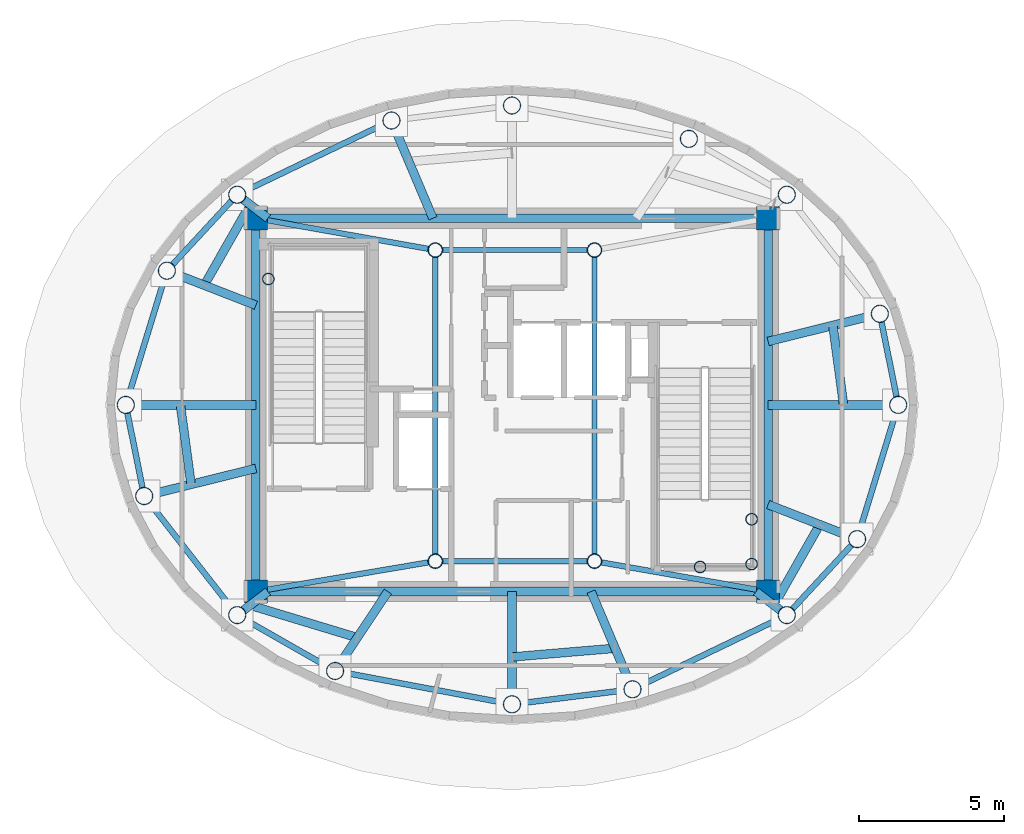
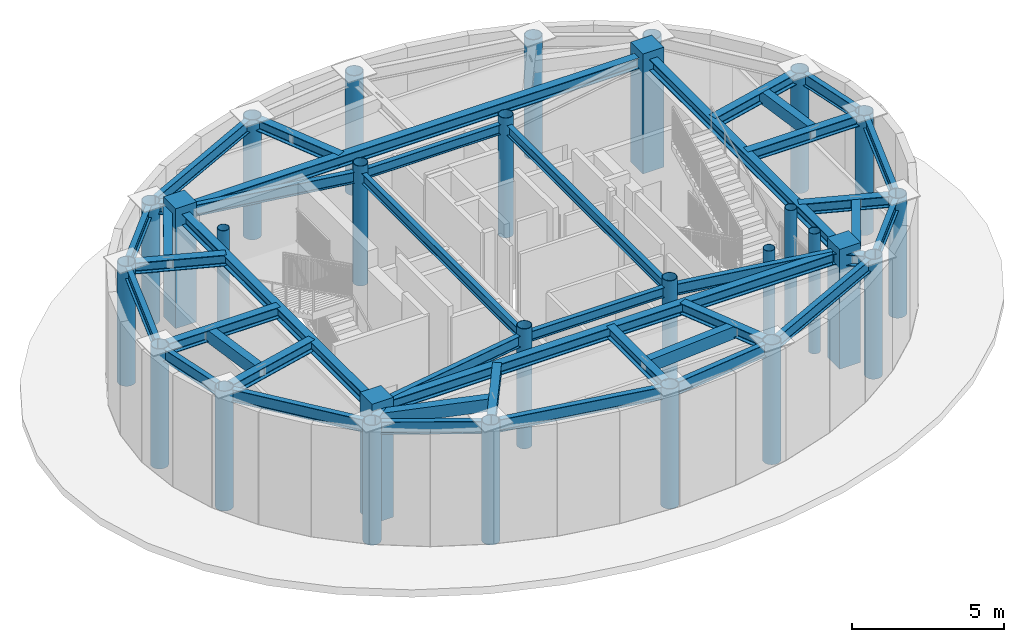
# One storey, part 1 of 12: 42 beams, 28 columns.
"""IFC4 building model written with IfcOpenShell, lengths in metres."""

from ifc_helpers import new_model, si_unit, direction, frame, origin, origin_2d, place, context, subcontext, project, spatial, rectangle, hollow_rectangle, hollow_circle, i_section, extrude, material, material_profile, profile_set, type_object, element, save


model = new_model("IFC4")

# Units and contexts
model_context = context("Model", 3, precision=1e-05, world=origin(), true_north=direction((0.0, 1.0)))
body_context = subcontext(model_context, "Body", "Model", "MODEL_VIEW")
ifc_project = project(units=[si_unit("LENGTHUNIT", "METRE"), si_unit("AREAUNIT", "SQUARE_METRE"), si_unit("VOLUMEUNIT", "CUBIC_METRE"), si_unit("PLANEANGLEUNIT", "RADIAN"), si_unit("MASSUNIT", "GRAM", prefix="KILO")], contexts=[model_context])

# Site, building, storey
site_placement = place(None, origin())
site = spatial("IfcSite", under=ifc_project, at=site_placement, CompositionType="ELEMENT")
building_placement = place(site_placement, origin())
building = spatial("IfcBuilding", under=site, at=building_placement, Name="Linh Dai School and Residence Tower", CompositionType="ELEMENT")
storey_placement = place(building_placement, frame((0.0, 0.0, 368.39990234375)))
storey = spatial("IfcBuildingStorey", under=building, at=storey_placement, Name="L91", CompositionType="ELEMENT", Elevation=368.39990234375)

# Columns
ifc_material_1 = material(Name="Concrete B45 (C35/45)", Category="concrete")
ifc_material_profile_1 = material_profile(ifc_material_1, rectangle(XDim=0.800048828125, YDim=0.800048828125, at=origin_2d()), Name="RC 800x800")
ifc_profile_set_1 = profile_set([ifc_material_profile_1], Name="Concrete B45 (C35/45)")
column_type_1 = type_object("IfcColumnType", Name="COL-CC5", PredefinedType="COLUMN", material=ifc_profile_set_1)
for number, where, z_axis, x_axis, name in (
    (1, (27.14990234375, 20.550048828125, 0.0), (0.0, 0.0, 1.0), (1.0, 0.0, 0.0), "L91 Core Corner Pier CC1"),
    (2, (44.85009765625, 20.550048828125, 0.0), (0.0, 0.0, 1.0), (1.0, 0.0, 0.0), "L91 Core Corner Pier CC2"),
    (3, (44.85009765625, 33.449951171875, 0.0), (0.0, 0.0, 1.0), (1.0, 0.0, 0.0), "L91 Core Corner Pier CC3"),
    (4, (27.14990234375, 33.449951171875, 0.0), (0.0, 0.0, 1.0), (1.0, 0.0, 0.0), "L91 Core Corner Pier CC4"),
):
    element("IfcColumn", number, at=place(storey_placement, frame(where, z_axis=z_axis, x_axis=x_axis)), inside=storey, type_object=column_type_1, Name=name, PredefinedType="COLUMN", context=body_context, shape_type="SweptSolid", body=[
        extrude(rectangle(XDim=0.800048828125, YDim=0.800048828125, at=origin_2d()), origin(), (0.0, 0.0, 1.0), 4.800048828125),
    ])
ifc_material_2 = material(Name="Structural Steel S355JR", Category="steel")
ifc_material_profile_2 = material_profile(ifc_material_2, hollow_circle(Radius=0.203125, WallThickness=0.01611328125, at=origin_2d()), Name="CHS 406.4x16")
ifc_profile_set_2 = profile_set([ifc_material_profile_2], Name="Structural Steel S355JR")
column_type_2 = type_object("IfcColumnType", Name="COL-EC", PredefinedType="COLUMN", material=ifc_profile_set_2)
for number, where, z_axis, x_axis, name in (
    (5, (27.580078125, 31.35009765625, 0.0), (0.0, 0.0, 1.0), (1.0, 0.0, 0.0), "L91 Stair Shaft Landing Support Pier ST1NW"),
    (6, (44.280029296875, 21.5, 0.0), (0.0, 0.0, 1.0), (1.0, 0.0, 0.0), "L91 Stair Shaft Landing Support Pier ST2SE"),
    (7, (44.280029296875, 23.050048828125, 0.0), (0.0, 0.0, 1.0), (1.0, 0.0, 0.0), "L91 Stair Shaft Landing Support Pier ST2NE"),
    (8, (42.5, 21.39990234375, 0.0), (0.0, 0.0, 1.0), (1.0, 0.0, 0.0), "L91 Stair Shaft Landing Support Pier ST2MS"),
):
    element("IfcColumn", number, at=place(storey_placement, frame(where, z_axis=z_axis, x_axis=x_axis)), inside=storey, type_object=column_type_2, Name=name, PredefinedType="COLUMN", context=body_context, shape_type="SweptSolid", body=[
        extrude(hollow_circle(Radius=0.203125, WallThickness=0.01611328125, at=origin_2d()), origin(), (0.0, 0.0, 1.0), 4.800048828125),
    ])
ifc_material_profile_3 = material_profile(ifc_material_2, hollow_circle(Radius=0.25390625, WallThickness=0.02001953125, at=origin_2d()), Name="CHS 508x20")
ifc_profile_set_3 = profile_set([ifc_material_profile_3], Name="Structural Steel S355JR")
column_type_3 = type_object("IfcColumnType", Name="COL-MCP", PredefinedType="COLUMN", material=ifc_profile_set_3)
for number, where, z_axis, x_axis, name in (
    (9, (33.35009765625, 21.60009765625, 0.0), (0.0, 0.0, 1.0), (1.0, 0.0, 0.0), "L91 Core Mast Support Pier MCP1"),
    (10, (38.85009765625, 21.60009765625, 0.0), (0.0, 0.0, 1.0), (1.0, 0.0, 0.0), "L91 Core Mast Support Pier MCP2"),
    (11, (38.85009765625, 32.35009765625, 0.0), (0.0, 0.0, 1.0), (1.0, 0.0, 0.0), "L91 Core Mast Support Pier MCP3"),
    (12, (33.35009765625, 32.35009765625, 0.0), (0.0, 0.0, 1.0), (1.0, 0.0, 0.0), "L91 Core Mast Support Pier MCP4"),
):
    element("IfcColumn", number, at=place(storey_placement, frame(where, z_axis=z_axis, x_axis=x_axis)), inside=storey, type_object=column_type_3, Name=name, PredefinedType="COLUMN", context=body_context, shape_type="SweptSolid", body=[
        extrude(hollow_circle(Radius=0.25390625, WallThickness=0.02001953125, at=origin_2d()), origin(), (0.0, 0.0, 1.0), 4.800048828125),
    ])
ifc_material_profile_4 = material_profile(ifc_material_2, hollow_circle(Radius=0.304931640625, WallThickness=0.02490234375, at=origin_2d()), Name="CHS 610x25")
ifc_profile_set_4 = profile_set([ifc_material_profile_4], Name="Structural Steel S355JR")
column_type_4 = type_object("IfcColumnType", Name="COL-SLC", PredefinedType="COLUMN", material=ifc_profile_set_4)
for number, where, z_axis, x_axis, name in (
    (13, (49.344970703125, 27.0, -0.2998046875), (0.0, 0.0, 1.0), (1.0, 0.0, 0.0), "L91 Perimeter CFT Mega-Column MC01"),
    (14, (48.70947265625, 30.14892578125, -0.2998046875), (0.0, 0.0, 1.0), (1.0, 0.0, 0.0), "L91 Perimeter CFT Mega-Column MC02"),
    (15, (45.494873046875, 34.26318359375, -0.2998046875), (0.0, 0.0, 1.0), (1.0, 0.0, 0.0), "L91 Perimeter CFT Mega-Column MC03"),
    (16, (42.112548828125, 36.19287109375, -0.2998046875), (0.0, 0.0, 1.0), (1.0, 0.0, 0.0), "L91 Perimeter CFT Mega-Column MC04"),
    (17, (36.0, 37.344970703125, -0.2998046875), (0.0, 0.0, 1.0), (1.0, 0.0, 0.0), "L91 Perimeter CFT Mega-Column MC05"),
    (18, (31.835693359375, 36.826904296875, -0.2998046875), (0.0, 0.0, 1.0), (1.0, 0.0, 0.0), "L91 Perimeter CFT Mega-Column MC06"),
    (19, (26.505126953125, 34.26318359375, -0.2998046875), (0.0, 0.0, 1.0), (1.0, 0.0, 0.0), "L91 Perimeter CFT Mega-Column MC07"),
    (20, (24.075439453125, 31.637451171875, -0.2998046875), (0.0, 0.0, 1.0), (1.0, 0.0, 0.0), "L91 Perimeter CFT Mega-Column MC08"),
    (21, (22.655029296875, 27.0, -0.2998046875), (0.0, 0.0, 1.0), (1.0, 0.0, 0.0), "L91 Perimeter CFT Mega-Column MC09"),
    (22, (23.29052734375, 23.85107421875, -0.2998046875), (0.0, 0.0, 1.0), (1.0, 0.0, 0.0), "L91 Perimeter CFT Mega-Column MC10"),
    (23, (26.505126953125, 19.73681640625, -0.2998046875), (0.0, 0.0, 1.0), (1.0, 0.0, 0.0), "L91 Perimeter CFT Mega-Column MC11"),
    (24, (29.887451171875, 17.80712890625, -0.2998046875), (0.0, 0.0, 1.0), (1.0, 0.0, 0.0), "L91 Perimeter CFT Mega-Column MC12"),
    (25, (36.0, 16.655029296875, -0.2998046875), (0.0, 0.0, 1.0), (1.0, 0.0, 0.0), "L91 Perimeter CFT Mega-Column MC13"),
    (26, (40.164306640625, 17.173095703125, -0.2998046875), (0.0, 0.0, 1.0), (1.0, 0.0, 0.0), "L91 Perimeter CFT Mega-Column MC14"),
    (27, (45.494873046875, 19.73681640625, -0.2998046875), (0.0, 0.0, 1.0), (1.0, 0.0, 0.0), "L91 Perimeter CFT Mega-Column MC15"),
    (28, (47.924560546875, 22.362548828125, -0.2998046875), (0.0, 0.0, 1.0), (1.0, 0.0, 0.0), "L91 Perimeter CFT Mega-Column MC16"),
):
    element("IfcColumn", number, at=place(storey_placement, frame(where, z_axis=z_axis, x_axis=x_axis)), inside=storey, type_object=column_type_4, Name=name, PredefinedType="COLUMN", context=body_context, shape_type="SweptSolid", body=[
        extrude(hollow_circle(Radius=0.304931640625, WallThickness=0.02490234375, at=origin_2d()), origin(), (0.0, 0.0, 1.0), 4.7998046875),
    ])

# Beams
ifc_material_profile_5 = material_profile(ifc_material_2, hollow_rectangle(XDim=0.300048828125, YDim=0.5, WallThickness=0.01611328125, at=origin_2d()), Name="RHS 500x300x16")
ifc_profile_set_5 = profile_set([ifc_material_profile_5], Name="Structural Steel S355JR")
beam_type_1 = type_object("IfcBeamType", Name="BM-BX5", PredefinedType="BEAM", material=ifc_profile_set_5)
beam_1_placement = place(storey_placement, frame((47.45654296875, 27.0048828125, 4.25), z_axis=(-0.133026337025, 0.991112503028, 0.0), x_axis=(-0.991112503028, -0.133026337025, 0.0)))
element("IfcBeam", 29, at=beam_1_placement, inside=storey, type_object=beam_type_1, Name="L91 Secondary Circumferential Floor Beam 01", PredefinedType="BEAM", context=body_context, shape_type="SweptSolid", body=[
    extrude(hollow_rectangle(XDim=0.300048828125, YDim=0.5, WallThickness=0.01611328125, at=origin_2d()), origin(), (0.0, 0.0, 1.0), 2.76220703125),
])
beam_2_placement = place(storey_placement, frame((26.94921875, 33.917236328125, 4.25), z_axis=(-0.49445956626, -0.869200631232, 0.0), x_axis=(0.869200631232, -0.49445956626, 0.0)))
element("IfcBeam", 30, at=beam_2_placement, inside=storey, type_object=beam_type_1, Name="L91 Secondary Circumferential Floor Beam 04", PredefinedType="BEAM", context=body_context, shape_type="SweptSolid", body=[
    extrude(hollow_rectangle(XDim=0.300048828125, YDim=0.5, WallThickness=0.01611328125, at=origin_2d()), origin(), (0.0, 0.0, 1.0), 3.195556640625),
])
beam_3_placement = place(storey_placement, frame((24.54345703125, 26.9951171875, 4.25), z_axis=(0.133026337025, -0.991112503028, 0.0), x_axis=(0.991112503028, 0.133026337025, 0.0)))
element("IfcBeam", 31, at=beam_3_placement, inside=storey, type_object=beam_type_1, Name="L91 Secondary Circumferential Floor Beam 05", PredefinedType="BEAM", context=body_context, shape_type="SweptSolid", body=[
    extrude(hollow_rectangle(XDim=0.300048828125, YDim=0.5, WallThickness=0.01611328125, at=origin_2d()), origin(), (0.0, 0.0, 1.0), 2.76220703125),
])
beam_4_placement = place(storey_placement, frame((26.956298828125, 20.076904296875, 4.25), z_axis=(0.957200418258, -0.289425913296, 0.0), x_axis=(0.289425913296, 0.957200418258, 0.0)))
element("IfcBeam", 32, at=beam_4_placement, inside=storey, type_object=beam_type_1, Name="L91 Secondary Circumferential Floor Beam 06", PredefinedType="BEAM", context=body_context, shape_type="SweptSolid", body=[
    extrude(hollow_rectangle(XDim=0.300048828125, YDim=0.5, WallThickness=0.01611328125, at=origin_2d()), origin(), (0.0, 0.0, 1.0), 3.857421875),
])
beam_5_placement = place(storey_placement, frame((36.0048828125, 18.291259765625, 4.25), z_axis=(0.996465021348, 0.084008697347, 0.0), x_axis=(-0.084008697347, 0.996465021348, 0.0)))
element("IfcBeam", 33, at=beam_5_placement, inside=storey, type_object=beam_type_1, Name="L91 Secondary Circumferential Floor Beam 07", PredefinedType="BEAM", context=body_context, shape_type="SweptSolid", body=[
    extrude(hollow_rectangle(XDim=0.300048828125, YDim=0.5, WallThickness=0.01611328125, at=origin_2d()), origin(), (0.0, 0.0, 1.0), 3.56591796875),
])
beam_6_placement = place(storey_placement, frame((45.05078125, 20.082763671875, 4.25), z_axis=(0.49445956626, 0.869200631232, 0.0), x_axis=(-0.869200631232, 0.49445956626, 0.0)))
element("IfcBeam", 34, at=beam_6_placement, inside=storey, type_object=beam_type_1, Name="L91 Secondary Circumferential Floor Beam 08", PredefinedType="BEAM", context=body_context, shape_type="SweptSolid", body=[
    extrude(hollow_rectangle(XDim=0.300048828125, YDim=0.5, WallThickness=0.01611328125, at=origin_2d()), origin(), (0.0, 0.0, 1.0), 3.195556640625),
])
ifc_material_profile_6 = material_profile(ifc_material_2, i_section(OverallWidth=0.199951171875, OverallDepth=0.5, WebThickness=0.01025390625, FlangeThickness=0.01611328125, FilletRadius=0.02099609375, at=origin_2d()), Name="IPE 500")
ifc_profile_set_6 = profile_set([ifc_material_profile_6], Name="Structural Steel S355JR")
beam_type_2 = type_object("IfcBeamType", Name="BM-RB50", PredefinedType="BEAM", material=ifc_profile_set_6)
beam_7_placement = place(storey_placement, frame((49.29052734375, 27.26953125, 4.25), z_axis=(-0.197791088174, 0.98024419684, 0.0), x_axis=(-0.98024419684, -0.197791088174, 0.0)))
element("IfcBeam", 35, at=beam_7_placement, inside=storey, type_object=beam_type_2, Name="L91 Perimeter Elliptical Ring Beam 01", PredefinedType="BEAM", context=body_context, shape_type="SweptSolid", body=[
    extrude(i_section(OverallWidth=0.199951171875, OverallDepth=0.5, WebThickness=0.01025390625, FlangeThickness=0.01611328125, FilletRadius=0.02099609375, at=origin_2d()), origin(), (0.0, 0.0, 1.0), 2.662353515625),
])
beam_8_placement = place(storey_placement, frame((31.587890625, 36.707763671875, 4.25), z_axis=(-0.901184066732, -0.433436590367, 0.0), x_axis=(0.433436590367, -0.901184066732, 0.0)))
element("IfcBeam", 36, at=beam_8_placement, inside=storey, type_object=beam_type_2, Name="L91 Perimeter Elliptical Ring Beam 06", PredefinedType="BEAM", context=body_context, shape_type="SweptSolid", body=[
    extrude(i_section(OverallWidth=0.199951171875, OverallDepth=0.5, WebThickness=0.01025390625, FlangeThickness=0.01611328125, FilletRadius=0.02099609375, at=origin_2d()), origin(), (0.0, 0.0, 1.0), 5.365234375),
])
beam_9_placement = place(storey_placement, frame((26.318359375, 34.061279296875, 4.25), z_axis=(-0.679197336195, -0.733955706092, 0.0), x_axis=(0.733955706092, -0.679197336195, 0.0)))
element("IfcBeam", 37, at=beam_9_placement, inside=storey, type_object=beam_type_2, Name="L91 Perimeter Elliptical Ring Beam 07", PredefinedType="BEAM", context=body_context, shape_type="SweptSolid", body=[
    extrude(i_section(OverallWidth=0.199951171875, OverallDepth=0.5, WebThickness=0.01025390625, FlangeThickness=0.01611328125, FilletRadius=0.02099609375, at=origin_2d()), origin(), (0.0, 0.0, 1.0), 3.02734375),
])
beam_10_placement = place(storey_placement, frame((23.994873046875, 31.37451171875, 4.25), z_axis=(-0.292848814087, -0.95615875883, 0.0), x_axis=(0.95615875883, -0.292848814087, 0.0)))
element("IfcBeam", 38, at=beam_10_placement, inside=storey, type_object=beam_type_2, Name="L91 Perimeter Elliptical Ring Beam 08", PredefinedType="BEAM", context=body_context, shape_type="SweptSolid", body=[
    extrude(i_section(OverallWidth=0.199951171875, OverallDepth=0.5, WebThickness=0.01025390625, FlangeThickness=0.01611328125, FilletRadius=0.02099609375, at=origin_2d()), origin(), (0.0, 0.0, 1.0), 4.300048828125),
])
beam_11_placement = place(storey_placement, frame((22.70947265625, 26.73046875, 4.25), z_axis=(0.197791088174, -0.98024419684, 0.0), x_axis=(0.98024419684, 0.197791088174, 0.0)))
element("IfcBeam", 39, at=beam_11_placement, inside=storey, type_object=beam_type_2, Name="L91 Perimeter Elliptical Ring Beam 09", PredefinedType="BEAM", context=body_context, shape_type="SweptSolid", body=[
    extrude(i_section(OverallWidth=0.199951171875, OverallDepth=0.5, WebThickness=0.01025390625, FlangeThickness=0.01611328125, FilletRadius=0.02099609375, at=origin_2d()), origin(), (0.0, 0.0, 1.0), 2.662353515625),
])
beam_12_placement = place(storey_placement, frame((23.459716796875, 23.634521484375, 4.25), z_axis=(0.615711991267, -0.78797128362, 0.0), x_axis=(0.78797128362, 0.615711991267, 0.0)))
element("IfcBeam", 40, at=beam_12_placement, inside=storey, type_object=beam_type_2, Name="L91 Perimeter Elliptical Ring Beam 10", PredefinedType="BEAM", context=body_context, shape_type="SweptSolid", body=[
    extrude(i_section(OverallWidth=0.199951171875, OverallDepth=0.5, WebThickness=0.01025390625, FlangeThickness=0.01611328125, FilletRadius=0.02099609375, at=origin_2d()), origin(), (0.0, 0.0, 1.0), 4.67138671875),
])
beam_13_placement = place(storey_placement, frame((26.744140625, 19.6005859375, 4.25), z_axis=(0.868566435555, -0.495572746453, 0.0), x_axis=(0.495572746453, 0.868566435555, 0.0)))
element("IfcBeam", 41, at=beam_13_placement, inside=storey, type_object=beam_type_2, Name="L91 Perimeter Elliptical Ring Beam 11", PredefinedType="BEAM", context=body_context, shape_type="SweptSolid", body=[
    extrude(i_section(OverallWidth=0.199951171875, OverallDepth=0.5, WebThickness=0.01025390625, FlangeThickness=0.01611328125, FilletRadius=0.02099609375, at=origin_2d()), origin(), (0.0, 0.0, 1.0), 3.343994140625),
])
beam_14_placement = place(storey_placement, frame((30.15771484375, 17.756103515625, 4.25), z_axis=(0.982702629871, -0.185190553874, 0.0), x_axis=(0.185190553874, 0.982702629871, 0.0)))
element("IfcBeam", 42, at=beam_14_placement, inside=storey, type_object=beam_type_2, Name="L91 Perimeter Elliptical Ring Beam 12", PredefinedType="BEAM", context=body_context, shape_type="SweptSolid", body=[
    extrude(i_section(OverallWidth=0.199951171875, OverallDepth=0.5, WebThickness=0.01025390625, FlangeThickness=0.01611328125, FilletRadius=0.02099609375, at=origin_2d()), origin(), (0.0, 0.0, 1.0), 5.670166015625),
])
beam_15_placement = place(storey_placement, frame((36.27294921875, 16.68896484375, 4.25), z_axis=(0.992348789732, 0.123466106758, 0.0), x_axis=(-0.123466106758, 0.992348789732, 0.0)))
element("IfcBeam", 43, at=beam_15_placement, inside=storey, type_object=beam_type_2, Name="L91 Perimeter Elliptical Ring Beam 13", PredefinedType="BEAM", context=body_context, shape_type="SweptSolid", body=[
    extrude(i_section(OverallWidth=0.199951171875, OverallDepth=0.5, WebThickness=0.01025390625, FlangeThickness=0.01611328125, FilletRadius=0.02099609375, at=origin_2d()), origin(), (0.0, 0.0, 1.0), 3.646240234375),
])
beam_16_placement = place(storey_placement, frame((40.412109375, 17.292236328125, 4.25), z_axis=(0.901184066732, 0.433436590367, 0.0), x_axis=(-0.433436590367, 0.901184066732, 0.0)))
element("IfcBeam", 44, at=beam_16_placement, inside=storey, type_object=beam_type_2, Name="L91 Perimeter Elliptical Ring Beam 14", PredefinedType="BEAM", context=body_context, shape_type="SweptSolid", body=[
    extrude(i_section(OverallWidth=0.199951171875, OverallDepth=0.5, WebThickness=0.01025390625, FlangeThickness=0.01611328125, FilletRadius=0.02099609375, at=origin_2d()), origin(), (0.0, 0.0, 1.0), 5.365234375),
])
beam_17_placement = place(storey_placement, frame((45.681640625, 19.938720703125, 4.25), z_axis=(0.679197336195, 0.733955706092, 0.0), x_axis=(-0.733955706092, 0.679197336195, 0.0)))
element("IfcBeam", 45, at=beam_17_placement, inside=storey, type_object=beam_type_2, Name="L91 Perimeter Elliptical Ring Beam 15", PredefinedType="BEAM", context=body_context, shape_type="SweptSolid", body=[
    extrude(i_section(OverallWidth=0.199951171875, OverallDepth=0.5, WebThickness=0.01025390625, FlangeThickness=0.01611328125, FilletRadius=0.02099609375, at=origin_2d()), origin(), (0.0, 0.0, 1.0), 3.02734375),
])
beam_18_placement = place(storey_placement, frame((48.005126953125, 22.62548828125, 4.25), z_axis=(0.292848814087, 0.95615875883, 0.0), x_axis=(-0.95615875883, 0.292848814087, 0.0)))
element("IfcBeam", 46, at=beam_18_placement, inside=storey, type_object=beam_type_2, Name="L91 Perimeter Elliptical Ring Beam 16", PredefinedType="BEAM", context=body_context, shape_type="SweptSolid", body=[
    extrude(i_section(OverallWidth=0.199951171875, OverallDepth=0.5, WebThickness=0.01025390625, FlangeThickness=0.01611328125, FilletRadius=0.02099609375, at=origin_2d()), origin(), (0.0, 0.0, 1.0), 4.300048828125),
])
ifc_material_profile_7 = material_profile(ifc_material_2, i_section(OverallWidth=0.300048828125, OverallDepth=0.449951171875, WebThickness=0.013916015625, FlangeThickness=0.02587890625, FilletRadius=0.027099609375, at=origin_2d()), Name="HEB 450")
ifc_profile_set_7 = profile_set([ifc_material_profile_7], Name="Structural Steel S355JR")
beam_type_3 = type_object("IfcBeamType", Name="BM-RG45", PredefinedType="BEAM", material=ifc_profile_set_7)
beam_19_placement = place(storey_placement, frame((27.52001953125, 20.550048828125, 4.275146484375), z_axis=(1.0, 0.0, 0.0), x_axis=(0.0, 1.0, 0.0)))
element("IfcBeam", 47, at=beam_19_placement, inside=storey, type_object=beam_type_3, Name="L91 Core Perimeter Coupling Girder 1", PredefinedType="BEAM", context=body_context, shape_type="SweptSolid", body=[
    extrude(i_section(OverallWidth=0.300048828125, OverallDepth=0.449951171875, WebThickness=0.013916015625, FlangeThickness=0.02587890625, FilletRadius=0.027099609375, at=origin_2d()), origin(), (0.0, 0.0, 1.0), 16.9599609375),
])
beam_20_placement = place(storey_placement, frame((44.85009765625, 20.919921875, 4.275146484375), z_axis=(0.0, 1.0, 0.0), x_axis=(-1.0, 0.0, 0.0)))
element("IfcBeam", 48, at=beam_20_placement, inside=storey, type_object=beam_type_3, Name="L91 Core Perimeter Coupling Girder 2", PredefinedType="BEAM", context=body_context, shape_type="SweptSolid", body=[
    extrude(i_section(OverallWidth=0.300048828125, OverallDepth=0.449951171875, WebThickness=0.013916015625, FlangeThickness=0.02587890625, FilletRadius=0.027099609375, at=origin_2d()), origin(), (0.0, 0.0, 1.0), 12.16015625),
])
beam_21_placement = place(storey_placement, frame((44.47998046875, 33.449951171875, 4.275146484375), z_axis=(-1.0, 0.0, 0.0), x_axis=(0.0, -1.0, 0.0)))
element("IfcBeam", 49, at=beam_21_placement, inside=storey, type_object=beam_type_3, Name="L91 Core Perimeter Coupling Girder 3", PredefinedType="BEAM", context=body_context, shape_type="SweptSolid", body=[
    extrude(i_section(OverallWidth=0.300048828125, OverallDepth=0.449951171875, WebThickness=0.013916015625, FlangeThickness=0.02587890625, FilletRadius=0.027099609375, at=origin_2d()), origin(), (0.0, 0.0, 1.0), 16.9599609375),
])
beam_22_placement = place(storey_placement, frame((27.14990234375, 33.080078125, 4.275146484375), z_axis=(0.0, -1.0, 0.0), x_axis=(1.0, 0.0, 0.0)))
element("IfcBeam", 50, at=beam_22_placement, inside=storey, type_object=beam_type_3, Name="L91 Core Perimeter Coupling Girder 4", PredefinedType="BEAM", context=body_context, shape_type="SweptSolid", body=[
    extrude(i_section(OverallWidth=0.300048828125, OverallDepth=0.449951171875, WebThickness=0.013916015625, FlangeThickness=0.02587890625, FilletRadius=0.027099609375, at=origin_2d()), origin(), (0.0, 0.0, 1.0), 12.16015625),
])
beam_23_placement = place(storey_placement, frame((44.85009765625, 27.0, 4.275146484375), z_axis=(1.0, 0.0, 0.0), x_axis=(0.0, 1.0, 0.0)))
element("IfcBeam", 51, at=beam_23_placement, inside=storey, type_object=beam_type_3, Name="L91 Primary Radial Floor Girder 01", PredefinedType="BEAM", context=body_context, shape_type="SweptSolid", body=[
    extrude(i_section(OverallWidth=0.300048828125, OverallDepth=0.449951171875, WebThickness=0.013916015625, FlangeThickness=0.02587890625, FilletRadius=0.027099609375, at=origin_2d()), origin(), (0.0, 0.0, 1.0), 4.219970703125),
])
beam_24_placement = place(storey_placement, frame((44.85009765625, 29.192626953125, 4.275146484375), z_axis=(0.970648674295, 0.240501873359, 0.0), x_axis=(-0.240501873359, 0.970648674295, 0.0)))
element("IfcBeam", 52, at=beam_24_placement, inside=storey, type_object=beam_type_3, Name="L91 Primary Radial Floor Girder 02", PredefinedType="BEAM", context=body_context, shape_type="SweptSolid", body=[
    extrude(i_section(OverallWidth=0.300048828125, OverallDepth=0.449951171875, WebThickness=0.013916015625, FlangeThickness=0.02587890625, FilletRadius=0.027099609375, at=origin_2d()), origin(), (0.0, 0.0, 1.0), 3.701171875),
])
beam_25_placement = place(storey_placement, frame((33.266845703125, 33.449951171875, 4.275146484375), z_axis=(-0.390172816603, 0.920741643016, 0.0), x_axis=(-0.920741643016, -0.390172816603, 0.0)))
element("IfcBeam", 53, at=beam_25_placement, inside=storey, type_object=beam_type_3, Name="L91 Primary Radial Floor Girder 06", PredefinedType="BEAM", context=body_context, shape_type="SweptSolid", body=[
    extrude(i_section(OverallWidth=0.300048828125, OverallDepth=0.449951171875, WebThickness=0.013916015625, FlangeThickness=0.02587890625, FilletRadius=0.027099609375, at=origin_2d()), origin(), (0.0, 0.0, 1.0), 3.392578125),
])
beam_26_placement = place(storey_placement, frame((27.568115234375, 33.449951171875, 4.275146484375), z_axis=(-0.794260058164, 0.607577945621, 0.0), x_axis=(-0.607577945621, -0.794260058164, 0.0)))
element("IfcBeam", 54, at=beam_26_placement, inside=storey, type_object=beam_type_3, Name="L91 Primary Radial Floor Girder 07", PredefinedType="BEAM", context=body_context, shape_type="SweptSolid", body=[
    extrude(i_section(OverallWidth=0.300048828125, OverallDepth=0.449951171875, WebThickness=0.013916015625, FlangeThickness=0.02587890625, FilletRadius=0.027099609375, at=origin_2d()), origin(), (0.0, 0.0, 1.0), 1.063232421875),
])
beam_27_placement = place(storey_placement, frame((27.14990234375, 30.44189453125, 4.275146484375), z_axis=(-0.932003156271, 0.362450157541, 0.0), x_axis=(-0.362450157541, -0.932003156271, 0.0)))
element("IfcBeam", 55, at=beam_27_placement, inside=storey, type_object=beam_type_3, Name="L91 Primary Radial Floor Girder 08", PredefinedType="BEAM", context=body_context, shape_type="SweptSolid", body=[
    extrude(i_section(OverallWidth=0.300048828125, OverallDepth=0.449951171875, WebThickness=0.013916015625, FlangeThickness=0.02587890625, FilletRadius=0.027099609375, at=origin_2d()), origin(), (0.0, 0.0, 1.0), 3.023681640625),
])
beam_28_placement = place(storey_placement, frame((27.14990234375, 27.0, 4.275146484375), z_axis=(-1.0, 0.0, 0.0), x_axis=(0.0, -1.0, 0.0)))
element("IfcBeam", 56, at=beam_28_placement, inside=storey, type_object=beam_type_3, Name="L91 Primary Radial Floor Girder 09", PredefinedType="BEAM", context=body_context, shape_type="SweptSolid", body=[
    extrude(i_section(OverallWidth=0.300048828125, OverallDepth=0.449951171875, WebThickness=0.013916015625, FlangeThickness=0.02587890625, FilletRadius=0.027099609375, at=origin_2d()), origin(), (0.0, 0.0, 1.0), 4.219970703125),
])
beam_29_placement = place(storey_placement, frame((27.14990234375, 24.807373046875, 4.275146484375), z_axis=(-0.970648674295, -0.240501873359, 0.0), x_axis=(0.240501873359, -0.970648674295, 0.0)))
element("IfcBeam", 57, at=beam_29_placement, inside=storey, type_object=beam_type_3, Name="L91 Primary Radial Floor Girder 10", PredefinedType="BEAM", context=body_context, shape_type="SweptSolid", body=[
    extrude(i_section(OverallWidth=0.300048828125, OverallDepth=0.449951171875, WebThickness=0.013916015625, FlangeThickness=0.02587890625, FilletRadius=0.027099609375, at=origin_2d()), origin(), (0.0, 0.0, 1.0), 3.701171875),
])
beam_30_placement = place(storey_placement, frame((27.568115234375, 20.550048828125, 4.275146484375), z_axis=(-0.794260058164, -0.607577945621, 0.0), x_axis=(0.607577945621, -0.794260058164, 0.0)))
element("IfcBeam", 58, at=beam_30_placement, inside=storey, type_object=beam_type_3, Name="L91 Primary Radial Floor Girder 11", PredefinedType="BEAM", context=body_context, shape_type="SweptSolid", body=[
    extrude(i_section(OverallWidth=0.300048828125, OverallDepth=0.449951171875, WebThickness=0.013916015625, FlangeThickness=0.02587890625, FilletRadius=0.027099609375, at=origin_2d()), origin(), (0.0, 0.0, 1.0), 1.063232421875),
])
beam_31_placement = place(storey_placement, frame((31.71142578125, 20.550048828125, 4.275146484375), z_axis=(-0.553673427863, -0.832733892236, 0.0), x_axis=(0.832733892236, -0.553673427863, 0.0)))
element("IfcBeam", 59, at=beam_31_placement, inside=storey, type_object=beam_type_3, Name="L91 Primary Radial Floor Girder 12", PredefinedType="BEAM", context=body_context, shape_type="SweptSolid", body=[
    extrude(i_section(OverallWidth=0.300048828125, OverallDepth=0.449951171875, WebThickness=0.013916015625, FlangeThickness=0.02587890625, FilletRadius=0.027099609375, at=origin_2d()), origin(), (0.0, 0.0, 1.0), 3.01904296875),
])
beam_32_placement = place(storey_placement, frame((36.0, 20.550048828125, 4.275146484375), z_axis=(0.0, -1.0, 0.0), x_axis=(1.0, 0.0, 0.0)))
element("IfcBeam", 60, at=beam_32_placement, inside=storey, type_object=beam_type_3, Name="L91 Primary Radial Floor Girder 13", PredefinedType="BEAM", context=body_context, shape_type="SweptSolid", body=[
    extrude(i_section(OverallWidth=0.300048828125, OverallDepth=0.449951171875, WebThickness=0.013916015625, FlangeThickness=0.02587890625, FilletRadius=0.027099609375, at=origin_2d()), origin(), (0.0, 0.0, 1.0), 3.6201171875),
])
beam_33_placement = place(storey_placement, frame((38.733154296875, 20.550048828125, 4.275146484375), z_axis=(0.390172816603, -0.920741643016, 0.0), x_axis=(0.920741643016, 0.390172816603, 0.0)))
element("IfcBeam", 61, at=beam_33_placement, inside=storey, type_object=beam_type_3, Name="L91 Primary Radial Floor Girder 14", PredefinedType="BEAM", context=body_context, shape_type="SweptSolid", body=[
    extrude(i_section(OverallWidth=0.300048828125, OverallDepth=0.449951171875, WebThickness=0.013916015625, FlangeThickness=0.02587890625, FilletRadius=0.027099609375, at=origin_2d()), origin(), (0.0, 0.0, 1.0), 3.392578125),
])
beam_34_placement = place(storey_placement, frame((44.431884765625, 20.550048828125, 4.275146484375), z_axis=(0.794260058164, -0.607577945621, 0.0), x_axis=(0.607577945621, 0.794260058164, 0.0)))
element("IfcBeam", 62, at=beam_34_placement, inside=storey, type_object=beam_type_3, Name="L91 Primary Radial Floor Girder 15", PredefinedType="BEAM", context=body_context, shape_type="SweptSolid", body=[
    extrude(i_section(OverallWidth=0.300048828125, OverallDepth=0.449951171875, WebThickness=0.013916015625, FlangeThickness=0.02587890625, FilletRadius=0.027099609375, at=origin_2d()), origin(), (0.0, 0.0, 1.0), 1.063232421875),
])
beam_35_placement = place(storey_placement, frame((44.85009765625, 23.55810546875, 4.275146484375), z_axis=(0.932003156271, -0.362450157541, 0.0), x_axis=(0.362450157541, 0.932003156271, 0.0)))
element("IfcBeam", 63, at=beam_35_placement, inside=storey, type_object=beam_type_3, Name="L91 Primary Radial Floor Girder 16", PredefinedType="BEAM", context=body_context, shape_type="SweptSolid", body=[
    extrude(i_section(OverallWidth=0.300048828125, OverallDepth=0.449951171875, WebThickness=0.013916015625, FlangeThickness=0.02587890625, FilletRadius=0.027099609375, at=origin_2d()), origin(), (0.0, 0.0, 1.0), 3.023681640625),
])
ifc_material_profile_8 = material_profile(ifc_material_2, i_section(OverallWidth=0.179931640625, OverallDepth=0.39990234375, WebThickness=0.008544921875, FlangeThickness=0.013427734375, FilletRadius=0.02099609375, at=origin_2d()), Name="IPE 400")
ifc_profile_set_8 = profile_set([ifc_material_profile_8], Name="Structural Steel S355JR")
beam_type_4 = type_object("IfcBeamType", Name="BM-SB40", PredefinedType="BEAM", material=ifc_profile_set_8)
beam_36_placement = place(storey_placement, frame((33.573974609375, 21.60009765625, 4.300048828125), z_axis=(1.0, 0.0, 0.0), x_axis=(0.0, 1.0, 0.0)))
element("IfcBeam", 64, at=beam_36_placement, inside=storey, type_object=beam_type_4, Name="L91 Core Mast Pier Tie Beam 1", PredefinedType="BEAM", context=body_context, shape_type="SweptSolid", body=[
    extrude(i_section(OverallWidth=0.179931640625, OverallDepth=0.39990234375, WebThickness=0.008544921875, FlangeThickness=0.013427734375, FilletRadius=0.02099609375, at=origin_2d()), origin(), (0.0, 0.0, 1.0), 5.052001953125),
])
beam_37_placement = place(storey_placement, frame((38.85009765625, 21.823974609375, 4.300048828125), z_axis=(0.0, 1.0, 0.0), x_axis=(-1.0, 0.0, 0.0)))
element("IfcBeam", 65, at=beam_37_placement, inside=storey, type_object=beam_type_4, Name="L91 Core Mast Pier Tie Beam 2", PredefinedType="BEAM", context=body_context, shape_type="SweptSolid", body=[
    extrude(i_section(OverallWidth=0.179931640625, OverallDepth=0.39990234375, WebThickness=0.008544921875, FlangeThickness=0.013427734375, FilletRadius=0.02099609375, at=origin_2d()), origin(), (0.0, 0.0, 1.0), 10.302001953125),
])
beam_38_placement = place(storey_placement, frame((38.6259765625, 32.35009765625, 4.300048828125), z_axis=(-1.0, 0.0, 0.0), x_axis=(0.0, -1.0, 0.0)))
element("IfcBeam", 66, at=beam_38_placement, inside=storey, type_object=beam_type_4, Name="L91 Core Mast Pier Tie Beam 3", PredefinedType="BEAM", context=body_context, shape_type="SweptSolid", body=[
    extrude(i_section(OverallWidth=0.179931640625, OverallDepth=0.39990234375, WebThickness=0.008544921875, FlangeThickness=0.013427734375, FilletRadius=0.02099609375, at=origin_2d()), origin(), (0.0, 0.0, 1.0), 5.052001953125),
])
beam_39_placement = place(storey_placement, frame((33.35009765625, 32.1259765625, 4.300048828125), z_axis=(0.0, -1.0, 0.0), x_axis=(1.0, 0.0, 0.0)))
element("IfcBeam", 67, at=beam_39_placement, inside=storey, type_object=beam_type_4, Name="L91 Core Mast Pier Tie Beam 4", PredefinedType="BEAM", context=body_context, shape_type="SweptSolid", body=[
    extrude(i_section(OverallWidth=0.179931640625, OverallDepth=0.39990234375, WebThickness=0.008544921875, FlangeThickness=0.013427734375, FilletRadius=0.02099609375, at=origin_2d()), origin(), (0.0, 0.0, 1.0), 10.302001953125),
])
ifc_material_profile_9 = material_profile(ifc_material_2, i_section(OverallWidth=0.18994140625, OverallDepth=0.449951171875, WebThickness=0.009521484375, FlangeThickness=0.0146484375, FilletRadius=0.02099609375, at=origin_2d()), Name="IPE 450")
ifc_profile_set_9 = profile_set([ifc_material_profile_9], Name="Structural Steel S355JR")
beam_type_5 = type_object("IfcBeamType", Name="BM-SB45", PredefinedType="BEAM", material=ifc_profile_set_9)
beam_40_placement = place(storey_placement, frame((27.514892578125, 20.61181640625, 4.275146484375), z_axis=(0.985964168355, 0.166957056513, 0.0), x_axis=(-0.166957056513, 0.985964168355, 0.0)))
element("IfcBeam", 68, at=beam_40_placement, inside=storey, type_object=beam_type_5, Name="L91 Core Corner-to-Mast Pier Beam 1", PredefinedType="BEAM", context=body_context, shape_type="SweptSolid", body=[
    extrude(i_section(OverallWidth=0.18994140625, OverallDepth=0.449951171875, WebThickness=0.009521484375, FlangeThickness=0.0146484375, FilletRadius=0.02099609375, at=origin_2d()), origin(), (0.0, 0.0, 1.0), 5.694091796875),
])
beam_41_placement = place(storey_placement, frame((44.485595703125, 20.61376953125, 4.275146484375), z_axis=(-0.985034237405, 0.172358786085, 0.0), x_axis=(-0.172358786085, -0.985034237405, 0.0)))
element("IfcBeam", 69, at=beam_41_placement, inside=storey, type_object=beam_type_5, Name="L91 Core Corner-to-Mast Pier Beam 2", PredefinedType="BEAM", context=body_context, shape_type="SweptSolid", body=[
    extrude(i_section(OverallWidth=0.18994140625, OverallDepth=0.449951171875, WebThickness=0.009521484375, FlangeThickness=0.0146484375, FilletRadius=0.02099609375, at=origin_2d()), origin(), (0.0, 0.0, 1.0), 5.497314453125),
])
beam_42_placement = place(storey_placement, frame((27.514404296875, 33.38525390625, 4.275146484375), z_axis=(0.984626710228, -0.17467181085, 0.0), x_axis=(0.17467181085, 0.984626710228, 0.0)))
element("IfcBeam", 70, at=beam_42_placement, inside=storey, type_object=beam_type_5, Name="L91 Core Corner-to-Mast Pier Beam 4", PredefinedType="BEAM", context=body_context, shape_type="SweptSolid", body=[
    extrude(i_section(OverallWidth=0.18994140625, OverallDepth=0.449951171875, WebThickness=0.009521484375, FlangeThickness=0.0146484375, FilletRadius=0.02099609375, at=origin_2d()), origin(), (0.0, 0.0, 1.0), 5.70263671875),
])

save(model, "model.ifc")
